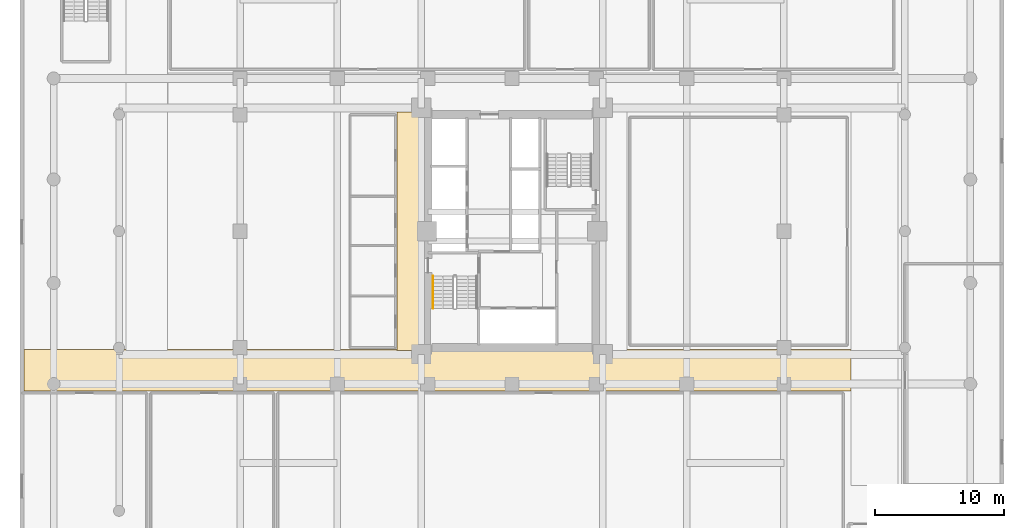
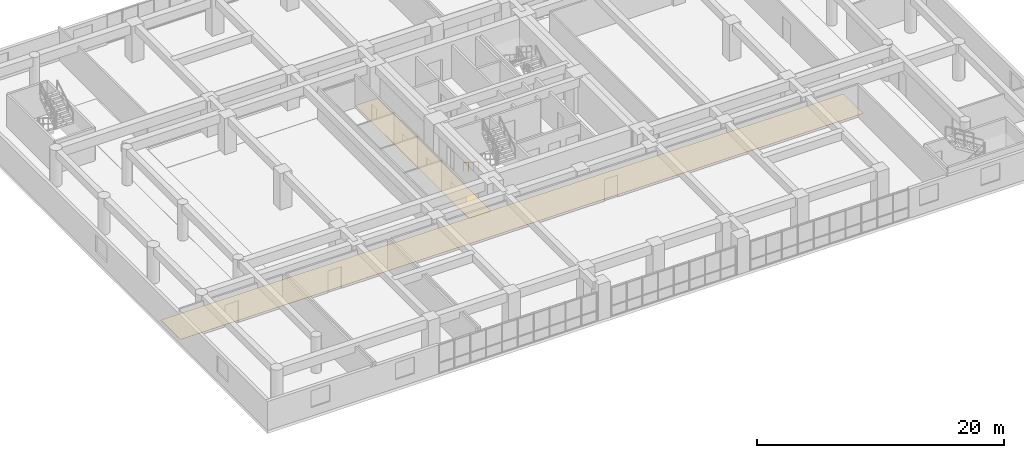
# One storey, part 25 of 30: 2 coverings, 1 railing.
"""IFC4 building model written with IfcOpenShell, lengths in metres."""

from ifc_helpers import new_model, si_unit, direction, frame, origin, origin_2d, place, context, subcontext, project, spatial, polyline, rectangle, outline, extrude, material, layer, layer_set, type_object, element, save


model = new_model("IFC4")

# Units and contexts
model_context = context("Model", 3, precision=1e-05, world=origin(), true_north=direction((0.0, 1.0)))
body_context = subcontext(model_context, "Body", "Model", "MODEL_VIEW")
ifc_project = project(units=[si_unit("LENGTHUNIT", "METRE"), si_unit("AREAUNIT", "SQUARE_METRE"), si_unit("VOLUMEUNIT", "CUBIC_METRE"), si_unit("PLANEANGLEUNIT", "RADIAN"), si_unit("MASSUNIT", "GRAM", prefix="KILO")], contexts=[model_context])

# Site, building, storey
site_placement = place(None, origin())
site = spatial("IfcSite", under=ifc_project, at=site_placement, CompositionType="ELEMENT")
building_placement = place(site_placement, origin())
building = spatial("IfcBuilding", under=site, at=building_placement, Name="Saelheon Loggia Tower", CompositionType="ELEMENT")
storey_placement = place(building_placement, frame((0.0, 0.0, 11.39990234375)))
storey = spatial("IfcBuildingStorey", under=building, at=storey_placement, Name="L03", CompositionType="ELEMENT", Elevation=11.39990234375)

# Coverings
ifc_material_1 = material(Name="Vitrified Porcelain Floor Tile", Category="ceramic")
ifc_layer = layer(ifc_material_1, 0.02001953125)
ifc_layer_set = layer_set([ifc_layer], Name="Vitrified Porcelain Floor Tile")
covering_type = type_object("IfcCoveringType", Name="Cov_Floor_Porcelain", PredefinedType="FLOORING", material=ifc_layer_set)
covering_1_placement = place(storey_placement, origin())
element("IfcCovering", 1, at=covering_1_placement, inside=storey, type_object=covering_type, Name="L03 Corridor Porcelain Flooring", PredefinedType="FLOORING", context=body_context, shape_type="SweptSolid", body=[
    extrude(outline(polyline([(0.300048828125, 14.64990234375), (64.179931640625, 14.64990234375), (64.179931640625, 17.85009765625), (0.300048828125, 17.85009765625), (0.300048828125, 14.64990234375)])), origin(), (0.0, 0.0, 1.0), 0.02001953125),
])
covering_2_placement = place(storey_placement, origin())
element("IfcCovering", 2, at=covering_2_placement, inside=storey, type_object=covering_type, Name="L03 Corridor Porcelain Flooring", PredefinedType="FLOORING", context=body_context, shape_type="SweptSolid", body=[
    extrude(outline(polyline([(29.10009765625, 17.800048828125), (31.179931640625, 17.800048828125), (31.179931640625, 36.199951171875), (29.10009765625, 36.199951171875), (29.10009765625, 17.800048828125)])), origin(), (0.0, 0.0, 1.0), 0.02001953125),
])

# Railing
ifc_material_2 = material(Name="Stainless Steel 304 Tubular Handrail", Category="steel")
railing_type = type_object("IfcRailingType", Name="Handrail_Stair_RL_HR1", PredefinedType="HANDRAIL", material=ifc_material_2)
railing_placement = place(storey_placement, frame((31.89990234375, 23.550048828125, 0.18017578125)))
element("IfcRailing", 3, at=railing_placement, inside=storey, type_object=railing_type, Name="L03 ST1 stair handrail 1", PredefinedType="HANDRAIL", context=body_context, shape_type="SweptSolid", body=[
    extrude(rectangle(XDim=0.048095703125, YDim=0.048095703125, at=origin_2d()), frame((0.0, -0.028076171875, 0.893798828125), z_axis=(0.0, -0.841199657755, 0.540724639528), x_axis=(1.0, 0.0, 0.0)), (0.0, 0.0, 1.0), 0.93212890625),
    extrude(rectangle(XDim=0.048095703125, YDim=0.048095703125, at=origin_2d()), frame((0.0, -0.867919921875, 1.433837890625), z_axis=(0.0, -0.841199657755, 0.540724639528), x_axis=(1.0, 0.0, 0.0)), (0.0, 0.0, 1.0), 0.93212890625),
    extrude(rectangle(XDim=0.048095703125, YDim=0.048095703125, at=origin_2d()), frame((0.0, -1.7080078125, 1.9736328125), z_axis=(0.0, -0.841199657755, 0.540724639528), x_axis=(1.0, 0.0, 0.0)), (0.0, 0.0, 1.0), 0.93212890625),
    extrude(rectangle(XDim=0.0419921875, YDim=0.0419921875, at=origin_2d()), origin(), (0.0, 0.0, 1.0), 0.847900390625),
    extrude(rectangle(XDim=0.0419921875, YDim=0.0419921875, at=origin_2d()), frame((0.0, -0.840087890625, 0.5400390625)), (0.0, 0.0, 1.0), 0.847900390625),
    extrude(rectangle(XDim=0.0419921875, YDim=0.0419921875, at=origin_2d()), frame((0.0, -1.679931640625, 1.079833984375)), (0.0, 0.0, 1.0), 0.847900390625),
    extrude(rectangle(XDim=0.0419921875, YDim=0.0419921875, at=origin_2d()), frame((0.0, -2.52001953125, 1.619873046875)), (0.0, 0.0, 1.0), 0.847900390625),
])

save(model, "model.ifc")
